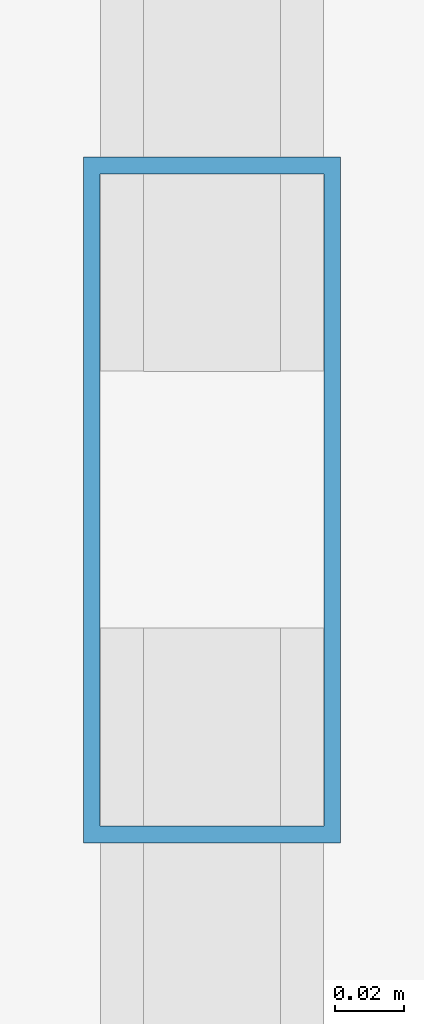
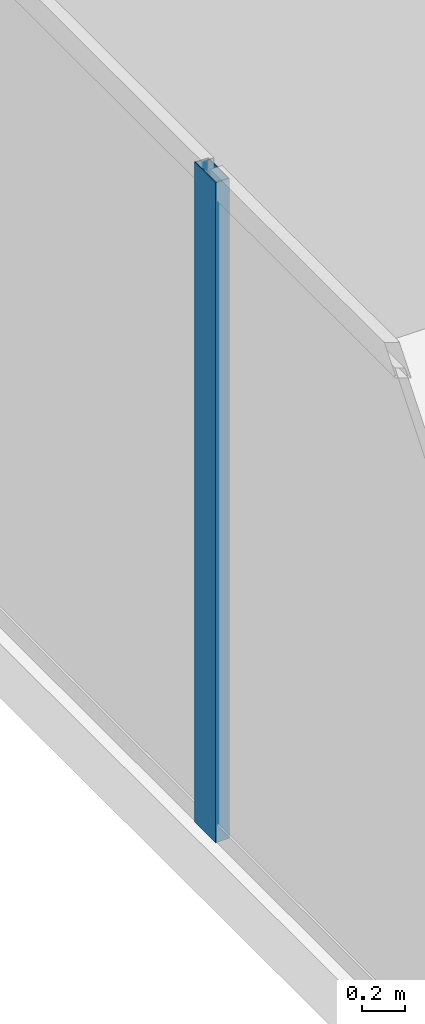
# One storey, part 8 of 30: 1 member, 1 element without a shape of its own.
"""IFC4 building model written with IfcOpenShell, lengths in metres."""

from ifc_helpers import new_model, si_unit, direction, frame, origin, origin_2d, place, context, subcontext, project, spatial, hollow_rectangle, extrude, source, transform, mapped, material, layer, layer_set, material_profile, profile_set, type_object, type_shapes, element, aggregate, save


model = new_model("IFC4")

# Units and contexts
model_context = context("Model", 3, precision=1e-05, world=origin(), true_north=direction((0.0, 1.0)))
body_context = subcontext(model_context, "Body", "Model", "MODEL_VIEW")
ifc_project = project(units=[si_unit("LENGTHUNIT", "METRE"), si_unit("AREAUNIT", "SQUARE_METRE"), si_unit("VOLUMEUNIT", "CUBIC_METRE"), si_unit("PLANEANGLEUNIT", "RADIAN"), si_unit("MASSUNIT", "GRAM", prefix="KILO")], contexts=[model_context])

# Site, building, storey
site_placement = place(None, origin())
site = spatial("IfcSite", under=ifc_project, at=site_placement, CompositionType="ELEMENT")
building_placement = place(site_placement, origin())
building = spatial("IfcBuilding", under=site, at=building_placement, Name="Haelvirn Gate Laboratories", CompositionType="ELEMENT")
storey_placement = place(building_placement, frame((0.0, 0.0, 125.60009765625)))
storey = spatial("IfcBuildingStorey", under=building, at=storey_placement, Name="L30", CompositionType="ELEMENT", Elevation=125.60009765625)

# Curtain wall, member
ifc_material_1 = material(Name="Anodised bronze unitised aluminium & triple low-E glass", Category="aluminium")
ifc_layer = layer(ifc_material_1, 0.179931640625, Name="CW-SYS-3")
ifc_layer_set = layer_set([ifc_layer], Name="Anodised bronze unitised aluminium & triple low-E glass")
curtain_wall_type = type_object("IfcCurtainWallType", Name="CW-SYS-3", PredefinedType="NOTDEFINED", material=ifc_layer_set)
curtain_wall_placement = place(storey_placement, origin())
curtain_wall = element("IfcCurtainWall", 1, at=curtain_wall_placement, inside=storey, type_object=curtain_wall_type, Name="L30 Unitised Curtain Wall CW-L30-P0-E17", PredefinedType="NOTDEFINED")
ifc_material_2 = material(Name="Extruded aluminium 6063-T6 (anodised bronze)", Category="aluminium")
ifc_material_profile = material_profile(ifc_material_2, hollow_rectangle(XDim=0.074951171875, YDim=0.199951171875, WallThickness=0.0048828125, at=origin_2d()), Name="CWM-200x75x5")
ifc_profile_set = profile_set([ifc_material_profile], Name="Extruded aluminium 6063-T6 (anodised bronze)")
member_type = type_object("IfcMemberType", Name="CWM-T200", PredefinedType="MULLION", material=ifc_profile_set)
shared_shape = source(origin(), body_context, "Body", "SweptSolid", [
    extrude(hollow_rectangle(XDim=0.074951171875, YDim=0.199951171875, WallThickness=0.0048828125, at=origin_2d()), origin(), (0.0, 0.0, 1.0), 3.789794921875),
])
type_shapes(member_type, [shared_shape])
member_placement = place(storey_placement, frame((2.10009765625, 30.966552734375, 0.0), z_axis=(0.0, 0.0, 1.0), x_axis=(1.0, 0.0, 0.0)))
member = element("IfcMember", 2, at=member_placement, type_object=member_type, Name="CW3 mullion 2", PredefinedType="MULLION", context=body_context, shape_type="MappedRepresentation", body=[
    mapped(shared_shape, transform((0.0, 0.0, 0.0), scale=1.0)),
])
aggregate(curtain_wall, [member])

save(model, "model.ifc")
